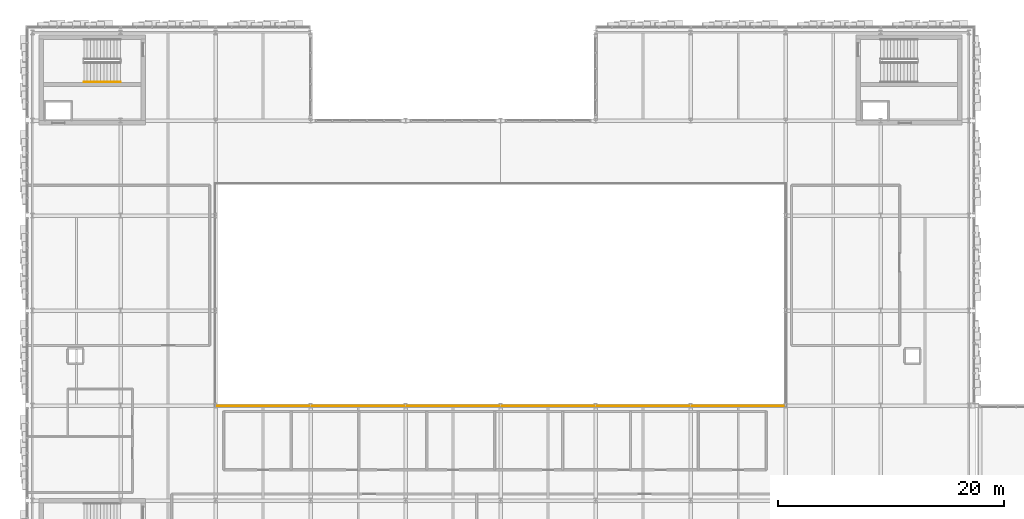
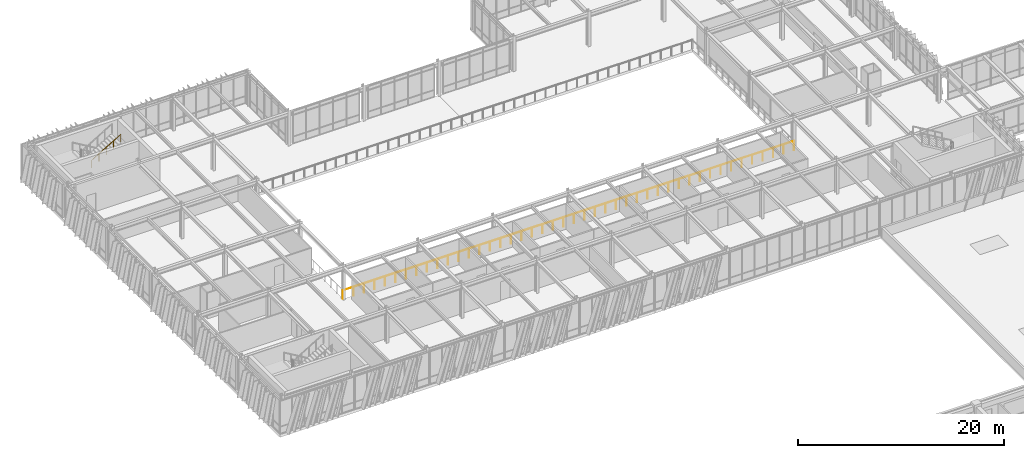
# One storey, part 121 of 127: 2 railings.
"""IFC4 building model written with IfcOpenShell, lengths in metres."""

from ifc_helpers import new_model, si_unit, direction, frame, origin, origin_2d, place, context, subcontext, project, spatial, circle, extrude, material, type_object, element, save


model = new_model("IFC4")

# Units and contexts
model_context = context("Model", 3, precision=1e-05, world=origin(), true_north=direction((0.0, 1.0)))
body_context = subcontext(model_context, "Body", "Model", "MODEL_VIEW")
ifc_project = project(units=[si_unit("LENGTHUNIT", "METRE"), si_unit("AREAUNIT", "SQUARE_METRE"), si_unit("VOLUMEUNIT", "CUBIC_METRE"), si_unit("PLANEANGLEUNIT", "RADIAN"), si_unit("MASSUNIT", "GRAM", prefix="KILO")], contexts=[model_context])

# Site, building, storey
site_placement = place(None, origin())
site = spatial("IfcSite", under=ifc_project, at=site_placement, CompositionType="ELEMENT")
building_placement = place(site_placement, origin())
building = spatial("IfcBuilding", under=site, at=building_placement, Name="Zayran Congress Hotel", CompositionType="ELEMENT")
storey_placement = place(building_placement, frame((0.0, 0.0, 10.800048828125)))
storey = spatial("IfcBuildingStorey", under=building, at=storey_placement, Name="L02", CompositionType="ELEMENT", Elevation=10.800048828125)

# Railings
ifc_material_1 = material(Name="Painted steel balustrade", Category="steel")
railing_type_1 = type_object("IfcRailingType", Name="TP-GRD-INT", PredefinedType="GUARDRAIL", material=ifc_material_1)
railing_1_placement = place(storey_placement, frame((25.14990234375, 84.35009765625, 0.0)))
element("IfcRailing", 1, at=railing_1_placement, inside=storey, type_object=railing_type_1, Name="V1 L02 Interior Void Guardrail V1-L02-AUD-S", PredefinedType="GUARDRAIL", context=body_context, shape_type="SweptSolid", body=[
    extrude(circle(Radius=0.02392578125, at=origin_2d()), frame((0.0, 0.0, 1.076171875), z_axis=(1.0, 0.0, 0.0), x_axis=(0.0, 1.0, 0.0)), (0.0, 0.0, 1.0), 50.5),
    extrude(circle(Radius=0.02099609375, at=origin_2d()), origin(), (0.0, 0.0, 1.0), 1.052001953125),
    extrude(circle(Radius=0.02099609375, at=origin_2d()), frame((1.17431640625, 0.0, 0.0)), (0.0, 0.0, 1.0), 1.052001953125),
    extrude(circle(Radius=0.02099609375, at=origin_2d()), frame((2.348876953125, 0.0, 0.0)), (0.0, 0.0, 1.0), 1.052001953125),
    extrude(circle(Radius=0.02099609375, at=origin_2d()), frame((3.523193359375, 0.0, 0.0)), (0.0, 0.0, 1.0), 1.052001953125),
    extrude(circle(Radius=0.02099609375, at=origin_2d()), frame((4.69775390625, 0.0, 0.0)), (0.0, 0.0, 1.0), 1.052001953125),
    extrude(circle(Radius=0.02099609375, at=origin_2d()), frame((5.8720703125, 0.0, 0.0)), (0.0, 0.0, 1.0), 1.052001953125),
    extrude(circle(Radius=0.02099609375, at=origin_2d()), frame((7.046630859375, 0.0, 0.0)), (0.0, 0.0, 1.0), 1.052001953125),
    extrude(circle(Radius=0.02099609375, at=origin_2d()), frame((8.220947265625, 0.0, 0.0)), (0.0, 0.0, 1.0), 1.052001953125),
    extrude(circle(Radius=0.02099609375, at=origin_2d()), frame((9.395263671875, 0.0, 0.0)), (0.0, 0.0, 1.0), 1.052001953125),
    extrude(circle(Radius=0.02099609375, at=origin_2d()), frame((10.56982421875, 0.0, 0.0)), (0.0, 0.0, 1.0), 1.052001953125),
    extrude(circle(Radius=0.02099609375, at=origin_2d()), frame((11.744140625, 0.0, 0.0)), (0.0, 0.0, 1.0), 1.052001953125),
    extrude(circle(Radius=0.02099609375, at=origin_2d()), frame((12.918701171875, 0.0, 0.0)), (0.0, 0.0, 1.0), 1.052001953125),
    extrude(circle(Radius=0.02099609375, at=origin_2d()), frame((14.093017578125, 0.0, 0.0)), (0.0, 0.0, 1.0), 1.052001953125),
    extrude(circle(Radius=0.02099609375, at=origin_2d()), frame((15.267333984375, 0.0, 0.0)), (0.0, 0.0, 1.0), 1.052001953125),
    extrude(circle(Radius=0.02099609375, at=origin_2d()), frame((16.44189453125, 0.0, 0.0)), (0.0, 0.0, 1.0), 1.052001953125),
    extrude(circle(Radius=0.02099609375, at=origin_2d()), frame((17.6162109375, 0.0, 0.0)), (0.0, 0.0, 1.0), 1.052001953125),
    extrude(circle(Radius=0.02099609375, at=origin_2d()), frame((18.790771484375, 0.0, 0.0)), (0.0, 0.0, 1.0), 1.052001953125),
    extrude(circle(Radius=0.02099609375, at=origin_2d()), frame((19.965087890625, 0.0, 0.0)), (0.0, 0.0, 1.0), 1.052001953125),
    extrude(circle(Radius=0.02099609375, at=origin_2d()), frame((21.1396484375, 0.0, 0.0)), (0.0, 0.0, 1.0), 1.052001953125),
    extrude(circle(Radius=0.02099609375, at=origin_2d()), frame((22.31396484375, 0.0, 0.0)), (0.0, 0.0, 1.0), 1.052001953125),
    extrude(circle(Radius=0.02099609375, at=origin_2d()), frame((23.48828125, 0.0, 0.0)), (0.0, 0.0, 1.0), 1.052001953125),
    extrude(circle(Radius=0.02099609375, at=origin_2d()), frame((24.662841796875, 0.0, 0.0)), (0.0, 0.0, 1.0), 1.052001953125),
    extrude(circle(Radius=0.02099609375, at=origin_2d()), frame((25.837158203125, 0.0, 0.0)), (0.0, 0.0, 1.0), 1.052001953125),
    extrude(circle(Radius=0.02099609375, at=origin_2d()), frame((27.01171875, 0.0, 0.0)), (0.0, 0.0, 1.0), 1.052001953125),
    extrude(circle(Radius=0.02099609375, at=origin_2d()), frame((28.18603515625, 0.0, 0.0)), (0.0, 0.0, 1.0), 1.052001953125),
    extrude(circle(Radius=0.02099609375, at=origin_2d()), frame((29.3603515625, 0.0, 0.0)), (0.0, 0.0, 1.0), 1.052001953125),
    extrude(circle(Radius=0.02099609375, at=origin_2d()), frame((30.534912109375, 0.0, 0.0)), (0.0, 0.0, 1.0), 1.052001953125),
    extrude(circle(Radius=0.02099609375, at=origin_2d()), frame((31.709228515625, 0.0, 0.0)), (0.0, 0.0, 1.0), 1.052001953125),
    extrude(circle(Radius=0.02099609375, at=origin_2d()), frame((32.8837890625, 0.0, 0.0)), (0.0, 0.0, 1.0), 1.052001953125),
    extrude(circle(Radius=0.02099609375, at=origin_2d()), frame((34.05810546875, 0.0, 0.0)), (0.0, 0.0, 1.0), 1.052001953125),
    extrude(circle(Radius=0.02099609375, at=origin_2d()), frame((35.232666015625, 0.0, 0.0)), (0.0, 0.0, 1.0), 1.052001953125),
    extrude(circle(Radius=0.02099609375, at=origin_2d()), frame((36.406982421875, 0.0, 0.0)), (0.0, 0.0, 1.0), 1.052001953125),
    extrude(circle(Radius=0.02099609375, at=origin_2d()), frame((37.581298828125, 0.0, 0.0)), (0.0, 0.0, 1.0), 1.052001953125),
    extrude(circle(Radius=0.02099609375, at=origin_2d()), frame((38.755859375, 0.0, 0.0)), (0.0, 0.0, 1.0), 1.052001953125),
    extrude(circle(Radius=0.02099609375, at=origin_2d()), frame((39.93017578125, 0.0, 0.0)), (0.0, 0.0, 1.0), 1.052001953125),
    extrude(circle(Radius=0.02099609375, at=origin_2d()), frame((41.104736328125, 0.0, 0.0)), (0.0, 0.0, 1.0), 1.052001953125),
    extrude(circle(Radius=0.02099609375, at=origin_2d()), frame((42.279052734375, 0.0, 0.0)), (0.0, 0.0, 1.0), 1.052001953125),
    extrude(circle(Radius=0.02099609375, at=origin_2d()), frame((43.453369140625, 0.0, 0.0)), (0.0, 0.0, 1.0), 1.052001953125),
    extrude(circle(Radius=0.02099609375, at=origin_2d()), frame((44.6279296875, 0.0, 0.0)), (0.0, 0.0, 1.0), 1.052001953125),
    extrude(circle(Radius=0.02099609375, at=origin_2d()), frame((45.80224609375, 0.0, 0.0)), (0.0, 0.0, 1.0), 1.052001953125),
    extrude(circle(Radius=0.02099609375, at=origin_2d()), frame((46.976806640625, 0.0, 0.0)), (0.0, 0.0, 1.0), 1.052001953125),
    extrude(circle(Radius=0.02099609375, at=origin_2d()), frame((48.151123046875, 0.0, 0.0)), (0.0, 0.0, 1.0), 1.052001953125),
    extrude(circle(Radius=0.02099609375, at=origin_2d()), frame((49.32568359375, 0.0, 0.0)), (0.0, 0.0, 1.0), 1.052001953125),
    extrude(circle(Radius=0.02099609375, at=origin_2d()), frame((50.5, 0.0, 0.0)), (0.0, 0.0, 1.0), 1.052001953125),
])
ifc_material_2 = material(Name="Brushed stainless steel handrail", Category="steel")
railing_type_2 = type_object("IfcRailingType", Name="TP-HND-STR", PredefinedType="HANDRAIL", material=ifc_material_2)
railing_2_placement = place(storey_placement, frame((13.554931640625, 113.010009765625, 2.27490234375)))
element("IfcRailing", 2, at=railing_2_placement, inside=storey, type_object=railing_type_2, Name="L02 ST-03 stair handrail 2", PredefinedType="HANDRAIL", context=body_context, shape_type="SweptSolid", body=[
    extrude(circle(Radius=0.02392578125, at=origin_2d()), frame((0.0, 0.0, 0.8759765625), z_axis=(0.860057060016, 0.0, 0.510197857224), x_axis=(0.0, 1.0, 0.0)), (0.0, 0.0, 1.0), 3.773193359375),
    extrude(circle(Radius=0.02099609375, at=origin_2d()), origin(), (0.0, 0.0, 1.0), 0.851806640625),
    extrude(circle(Radius=0.02099609375, at=origin_2d()), frame((0.811279296875, 0.0, 0.481201171875)), (0.0, 0.0, 1.0), 0.851806640625),
    extrude(circle(Radius=0.02099609375, at=origin_2d()), frame((1.62255859375, 0.0, 0.96240234375)), (0.0, 0.0, 1.0), 0.851806640625),
    extrude(circle(Radius=0.02099609375, at=origin_2d()), frame((2.433837890625, 0.0, 1.44384765625)), (0.0, 0.0, 1.0), 0.851806640625),
    extrude(circle(Radius=0.02099609375, at=origin_2d()), frame((3.2451171875, 0.0, 1.925048828125)), (0.0, 0.0, 1.0), 0.851806640625),
])

save(model, "model.ifc")
